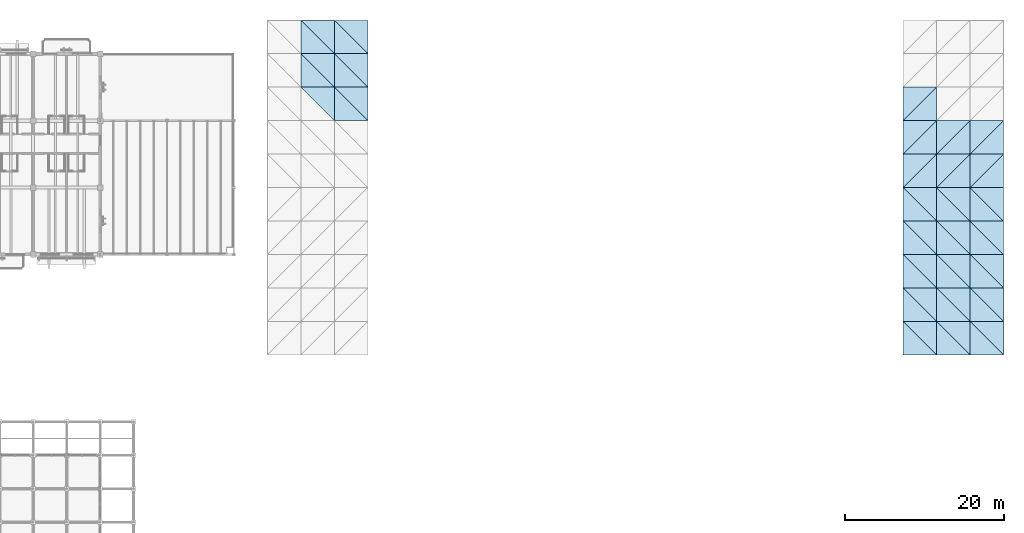
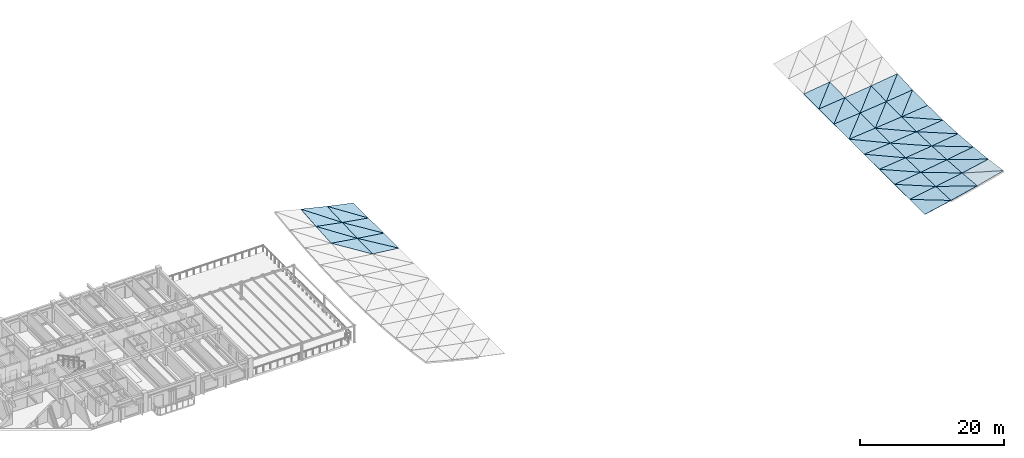
# One storey, part 85 of 93: 55 roofs.
"""IFC4 building model written with IfcOpenShell, lengths in metres."""

from ifc_helpers import new_model, si_unit, direction, frame, origin, place, context, subcontext, project, spatial, polyline, outline, extrude, material, layer, layer_set, type_object, element, save


model = new_model("IFC4")

# Units and contexts
model_context = context("Model", 3, precision=1e-05, world=origin(), true_north=direction((0.0, 1.0)))
body_context = subcontext(model_context, "Body", "Model", "MODEL_VIEW")
ifc_project = project(units=[si_unit("LENGTHUNIT", "METRE"), si_unit("AREAUNIT", "SQUARE_METRE"), si_unit("VOLUMEUNIT", "CUBIC_METRE"), si_unit("PLANEANGLEUNIT", "RADIAN"), si_unit("MASSUNIT", "GRAM", prefix="KILO")], contexts=[model_context])

# Site, building, storey
site_placement = place(None, origin())
site = spatial("IfcSite", under=ifc_project, at=site_placement, CompositionType="ELEMENT")
building_placement = place(site_placement, origin())
building = spatial("IfcBuilding", under=site, at=building_placement, Name="Cumbredor Promenade Congress Hotel", CompositionType="ELEMENT")
storey_placement = place(building_placement, frame((0.0, 0.0, 21.840087890625)))
storey = spatial("IfcBuildingStorey", under=building, at=storey_placement, Name="L06", CompositionType="ELEMENT", Elevation=21.840087890625)

# Roofs
ifc_material = material(Name="Standing-seam zinc-aluminium roofing", Category="aluminium")
ifc_layer = layer(ifc_material, 0.050048828125, Name="Standing-seam zinc-aluminium roofing", Category="aluminium")
ifc_layer_set = layer_set([ifc_layer], Name="Standing-seam zinc-aluminium roofing")
roof_type = type_object("IfcRoofType", Name="Sweeping Pavilion Standing-Seam Roof Skin 50mm", PredefinedType="FREEFORM", material=ifc_layer_set)
roof_1_placement = place(storey_placement, frame((96.60009765625, 109.199951171875, 0.265869140625), z_axis=(0.151296799152, -0.024011290155, 0.988196709421), x_axis=(0.0, 0.99970493212, 0.024290917958)))
element("IfcRoof", 1, at=roof_1_placement, inside=storey, type_object=roof_type, Name="Pre-Function and Breakout Meeting Forum Standing-Seam Roof Skin 2.8.2", PredefinedType="FREEFORM", context=body_context, shape_type="SweptSolid", body=[
    extrude(outline(polyline([(0.0, 0.0), (4.201190808340883, -1.734723475976807e-18), (4.216811481656447, 4.249109443231538), (0.0, 0.0)])), origin(), (0.0, 0.0, -1.0), 0.050048828125),
])
roof_2_placement = place(storey_placement, frame((92.39990234375, 113.39990234375, 1.010986328125), z_axis=(0.150962078328, -0.070666758762, 0.986010476675), x_axis=(0.98848170114, 0.0, -0.151340432504)))
element("IfcRoof", 2, at=roof_2_placement, inside=storey, type_object=roof_type, Name="Pre-Function and Breakout Meeting Forum Standing-Seam Roof Skin 2.9.1", PredefinedType="FREEFORM", context=body_context, shape_type="SweptSolid", body=[
    extrude(outline(polyline([(0.0, 0.0), (4.249138155672779, 0.0), (-0.04555731281196038, 4.210722204111459), (0.0, 0.0)])), origin(), (0.0, 0.0, -1.0), 0.050048828125),
])
roof_3_placement = place(storey_placement, frame((96.60009765625, 113.39990234375, 0.367919921875), z_axis=(0.187341185782, -0.033325389125, 0.981729442642), x_axis=(0.0, 0.999424345771, 0.033926053123)))
element("IfcRoof", 3, at=roof_3_placement, inside=storey, type_object=roof_type, Name="Pre-Function and Breakout Meeting Forum Standing-Seam Roof Skin 2.9.2", PredefinedType="FREEFORM", context=body_context, shape_type="SweptSolid", body=[
    extrude(outline(polyline([(0.0, 0.0), (4.202614565348039, -3.469446951953614e-18), (4.229806760758978, 4.275900538349583), (0.0, 0.0)])), origin(), (0.0, 0.0, -1.0), 0.050048828125),
])
roof_4_placement = place(storey_placement, frame((92.39990234375, 117.60009765625, 1.31201171875), z_axis=(0.186681381948, -0.090190034276, 0.9782718535), x_axis=(0.982275042442, 0.0, -0.187445301345)))
element("IfcRoof", 4, at=roof_4_placement, inside=storey, type_object=roof_type, Name="Pre-Function and Breakout Meeting Forum Standing-Seam Roof Skin 2.10.1", PredefinedType="FREEFORM", context=body_context, shape_type="SweptSolid", body=[
    extrude(outline(polyline([(0.0, 0.0), (4.2759870006057685, 0.0), (-0.07258013865548202, 4.2171378036123475), (0.0, 0.0)])), origin(), (0.0, 0.0, -1.0), 0.050048828125),
])
roof_5_placement = place(storey_placement, frame((96.60009765625, 117.60009765625, 0.510498046875), z_axis=(0.232523595501, -0.04247459514, 0.971662846003), x_axis=(0.0, 0.99904594053, 0.043671600725)))
element("IfcRoof", 5, at=roof_5_placement, inside=storey, type_object=roof_type, Name="Pre-Function and Breakout Meeting Forum Standing-Seam Roof Skin 2.10.2", PredefinedType="FREEFORM", context=body_context, shape_type="SweptSolid", body=[
    extrude(outline(polyline([(0.0, 0.0), (4.203962001632894, -6.938893903907228e-18), (4.247857504608091, 4.318563886277922), (0.0, 0.0)])), origin(), (0.0, 0.0, -1.0), 0.050048828125),
])
roof_6_placement = place(storey_placement, frame((96.60009765625, 109.199951171875, 0.265869140625), z_axis=(0.112199133894, -0.024137538841, 0.993392537506), x_axis=(0.993682049587, 0.0, -0.112231832956)))
element("IfcRoof", 6, at=roof_6_placement, inside=storey, type_object=roof_type, Name="Pre-Function and Breakout Meeting Forum Standing-Seam Roof Skin 3.8.1", PredefinedType="FREEFORM", context=body_context, shape_type="SweptSolid", body=[
    extrude(outline(polyline([(0.0, 0.0), (4.226654968378402, 0.0), (-0.01145334623431087, 4.201175196174036), (0.0, 0.0)])), origin(), (0.0, 0.0, -1.0), 0.050048828125),
])
roof_7_placement = place(storey_placement, frame((100.800048828125, 109.199951171875, -0.20849609375), z_axis=(0.135742823772, -0.00023036542, 0.990744080339), x_axis=(0.0, 0.999999972968, 0.000232517578)))
element("IfcRoof", 7, at=roof_7_placement, inside=storey, type_object=roof_type, Name="Pre-Function and Breakout Meeting Forum Standing-Seam Roof Skin 3.8.2", PredefinedType="FREEFORM", context=body_context, shape_type="SweptSolid", body=[
    extrude(outline(polyline([(0.0, 0.0), (4.199951285408976, 0.0), (4.20008508519682, 4.239188647895326), (0.0, 0.0)])), origin(), (0.0, 0.0, -1.0), 0.050048828125),
])
roof_8_placement = place(storey_placement, frame((96.60009765625, 113.39990234375, 0.367919921875), z_axis=(0.135666125055, -0.033612393621, 0.99018428058), x_axis=(0.990744106627, 0.0, -0.135742827374)))
element("IfcRoof", 8, at=roof_8_placement, inside=storey, type_object=roof_type, Name="Pre-Function and Breakout Meeting Forum Standing-Seam Roof Skin 3.9.1", PredefinedType="FREEFORM", context=body_context, shape_type="SweptSolid", body=[
    extrude(outline(polyline([(0.0, 0.0), (4.23918865000686, 0.0), (-0.019353957809227273, 4.202570000510712), (0.0, 0.0)])), origin(), (0.0, 0.0, -1.0), 0.050048828125),
])
roof_9_placement = place(storey_placement, frame((100.800048828125, 113.39990234375, -0.20751953125), z_axis=(0.168291026532, -0.000229187939, 0.98573732701), x_axis=(0.0, 0.999999972971, 0.000232504063)))
element("IfcRoof", 9, at=roof_9_placement, inside=storey, type_object=roof_type, Name="Pre-Function and Breakout Meeting Forum Standing-Seam Roof Skin 3.9.2", PredefinedType="FREEFORM", context=body_context, shape_type="SweptSolid", body=[
    extrude(outline(polyline([(0.0, 0.0), (4.200195426027376, 0.0), (4.200362140976514, 4.260720318963549), (0.0, 0.0)])), origin(), (0.0, 0.0, -1.0), 0.050048828125),
])
roof_10_placement = place(storey_placement, frame((96.60009765625, 117.60009765625, 0.510498046875), z_axis=(0.168135012328, -0.043049890797, 0.984823499177), x_axis=(0.985737352899, 0.0, -0.168291030952)))
element("IfcRoof", 10, at=roof_10_placement, inside=storey, type_object=roof_type, Name="Pre-Function and Breakout Meeting Forum Standing-Seam Roof Skin 3.10.1", PredefinedType="FREEFORM", context=body_context, shape_type="SweptSolid", body=[
    extrude(outline(polyline([(0.0, 0.0), (4.260720322225189, 0.0), (-0.030897181463825883, 4.203848460084026), (0.0, 0.0)])), origin(), (0.0, 0.0, -1.0), 0.050048828125),
])
roof_11_placement = place(storey_placement, frame((100.800048828125, 117.60009765625, -0.20654296875), z_axis=(0.209346626086, -0.000341047993, 0.977841435936), x_axis=(0.0, 0.999999939178, 0.000348776355)))
element("IfcRoof", 11, at=roof_11_placement, inside=storey, type_object=roof_type, Name="Pre-Function and Breakout Meeting Forum Standing-Seam Roof Skin 3.10.2", PredefinedType="FREEFORM", context=body_context, shape_type="SweptSolid", body=[
    extrude(outline(polyline([(0.0, 0.0), (4.1999514273264404, 5.421010862427522e-20), (4.200265036534318, 4.29512471253026), (0.0, 0.0)])), origin(), (0.0, 0.0, -1.0), 0.050048828125),
])
roof_12_placement = place(storey_placement, frame((168.0, 79.800048828125, -0.205078125), z_axis=(-0.209346626086, 0.000341047993, 0.977841435936), x_axis=(0.977841492804, 0.0, 0.209346638261)))
element("IfcRoof", 12, at=roof_12_placement, inside=storey, type_object=roof_type, Name="Pre-Function and Breakout Meeting Forum Standing-Seam Roof Skin 20.1.1", PredefinedType="FREEFORM", context=body_context, shape_type="SweptSolid", body=[
    extrude(outline(polyline([(0.0, 0.0), (4.295124723979372, 5.421010862427522e-20), (-0.00030666011463952725, 4.199951416131022), (0.0, 0.0)])), origin(), (0.0, 0.0, -1.0), 0.050048828125),
])
roof_13_placement = place(storey_placement, frame((172.199951171875, 79.800048828125, 0.694091796875), z_axis=(-0.168135012328, 0.043049890797, 0.984823499177), x_axis=(0.0, 0.99904594053, -0.043671600725)))
element("IfcRoof", 13, at=roof_13_placement, inside=storey, type_object=roof_type, Name="Pre-Function and Breakout Meeting Forum Standing-Seam Roof Skin 20.1.2", PredefinedType="FREEFORM", context=body_context, shape_type="SweptSolid", body=[
    extrude(outline(polyline([(0.0, 0.0), (4.203962001632894, -3.469446951953614e-18), (4.2352763305709935, 4.2606052477348655), (0.0, 0.0)])), origin(), (0.0, 0.0, -1.0), 0.050048828125),
])
roof_14_placement = place(storey_placement, frame((168.0, 84.0, -0.20654296875), z_axis=(-0.168291026531, 0.000229201262, 0.985737327007), x_axis=(0.985737352899, 0.0, 0.168291030952)))
element("IfcRoof", 14, at=roof_14_placement, inside=storey, type_object=roof_type, Name="Pre-Function and Breakout Meeting Forum Standing-Seam Roof Skin 20.2.1", PredefinedType="FREEFORM", context=body_context, shape_type="SweptSolid", body=[
    extrude(outline(polyline([(0.0, 0.0), (4.260720322225189, 0.0), (-0.00016434670991396746, 4.199951282193481), (0.0, 0.0)])), origin(), (0.0, 0.0, -1.0), 0.050048828125),
])
roof_15_placement = place(storey_placement, frame((172.199951171875, 84.0, 0.510498046875), z_axis=(-0.135666116145, 0.033614345282, 0.990184215548), x_axis=(0.0, 0.999424278902, -0.033928022954)))
element("IfcRoof", 15, at=roof_15_placement, inside=storey, type_object=roof_type, Name="Pre-Function and Breakout Meeting Forum Standing-Seam Roof Skin 20.2.2", PredefinedType="FREEFORM", context=body_context, shape_type="SweptSolid", body=[
    extrude(outline(polyline([(0.0, 0.0), (4.202370565271785, 0.0), (4.2218940882460805, 4.239143692114913), (0.0, 0.0)])), origin(), (0.0, 0.0, -1.0), 0.050048828125),
])
roof_16_placement = place(storey_placement, frame((168.0, 88.199951171875, -0.20751953125), z_axis=(-0.135742823772, 0.00023036542, 0.990744080339), x_axis=(0.990744106627, 0.0, 0.135742827374)))
element("IfcRoof", 16, at=roof_16_placement, inside=storey, type_object=roof_type, Name="Pre-Function and Breakout Meeting Forum Standing-Seam Roof Skin 20.3.1", PredefinedType="FREEFORM", context=body_context, shape_type="SweptSolid", body=[
    extrude(outline(polyline([(0.0, 0.0), (4.23918865000686, -2.710505431213761e-20), (-0.00013256135485772104, 4.1999512833169845), (0.0, 0.0)])), origin(), (0.0, 0.0, -1.0), 0.050048828125),
])
roof_17_placement = place(storey_placement, frame((172.199951171875, 88.199951171875, 0.367919921875), z_axis=(-0.112199133894, 0.024137538841, 0.993392537506), x_axis=(0.0, 0.99970493212, -0.024290917958)))
element("IfcRoof", 17, at=roof_17_placement, inside=storey, type_object=roof_type, Name="Pre-Function and Breakout Meeting Forum Standing-Seam Roof Skin 20.3.2", PredefinedType="FREEFORM", context=body_context, shape_type="SweptSolid", body=[
    extrude(outline(polyline([(0.0, 0.0), (4.201190808340883, 0.0), (4.212713575331065, 4.226639261583454), (0.0, 0.0)])), origin(), (0.0, 0.0, -1.0), 0.050048828125),
])
roof_18_placement = place(storey_placement, frame((168.0, 92.39990234375, -0.20849609375), z_axis=(-0.112231832207, 0.000115517559, 0.993682042957), x_axis=(0.993682049587, 0.0, 0.112231832956)))
element("IfcRoof", 18, at=roof_18_placement, inside=storey, type_object=roof_type, Name="Pre-Function and Breakout Meeting Forum Standing-Seam Roof Skin 20.4.1", PredefinedType="FREEFORM", context=body_context, shape_type="SweptSolid", body=[
    extrude(outline(polyline([(0.0, 0.0), (4.226654968378402, 6.776263578034403e-21), (-5.480069968569795e-05, 4.200195340524347), (0.0, 0.0)])), origin(), (0.0, 0.0, -1.0), 0.050048828125),
])
roof_19_placement = place(storey_placement, frame((172.199951171875, 92.39990234375, 0.265869140625), z_axis=(-0.098044266176, 0.014459965672, 0.995076997655), x_axis=(0.0, 0.99989443441, -0.014529970274)))
element("IfcRoof", 19, at=roof_19_placement, inside=storey, type_object=roof_type, Name="Pre-Function and Breakout Meeting Forum Standing-Seam Roof Skin 20.4.2", PredefinedType="FREEFORM", context=body_context, shape_type="SweptSolid", body=[
    extrude(outline(polyline([(0.0, 0.0), (4.2006387554091615, 8.673617379884035e-19), (4.206651523869922, 4.220284270911788), (0.0, 0.0)])), origin(), (0.0, 0.0, -1.0), 0.050048828125),
])
roof_20_placement = place(storey_placement, frame((168.0, 96.60009765625, -0.208984375), z_axis=(-0.098054517851, 0.0, 0.995181044599), x_axis=(0.995181044599, 0.0, 0.098054517851)))
element("IfcRoof", 20, at=roof_20_placement, inside=storey, type_object=roof_type, Name="Pre-Function and Breakout Meeting Forum Standing-Seam Roof Skin 20.5.1", PredefinedType="FREEFORM", context=body_context, shape_type="SweptSolid", body=[
    extrude(outline(polyline([(0.0, 0.0), (4.22028855419745, 0.0), (0.0, 4.199951171875), (0.0, 0.0)])), origin(), (0.0, 0.0, -1.0), 0.050048828125),
])
roof_21_placement = place(storey_placement, frame((172.199951171875, 96.60009765625, 0.204833984375), z_axis=(-0.093237412623, 0.004861541068, 0.995632035596), x_axis=(0.0, 0.999988079007, -0.004882811058)))
element("IfcRoof", 21, at=roof_21_placement, inside=storey, type_object=roof_type, Name="Pre-Function and Breakout Meeting Forum Standing-Seam Roof Skin 20.5.2", PredefinedType="FREEFORM", context=body_context, shape_type="SweptSolid", body=[
    extrude(outline(polyline([(0.0, 0.0), (4.200001240060259, -2.168404344971009e-19), (4.201921701147902, 4.218326604738721), (0.0, 0.0)])), origin(), (0.0, 0.0, -1.0), 0.050048828125),
])
roof_22_placement = place(storey_placement, frame((168.0, 100.800048828125, -0.208984375), z_axis=(-0.093237412623, -0.004861541068, 0.995632035596), x_axis=(0.995643801478, 0.0, 0.093238514456)))
element("IfcRoof", 22, at=roof_22_placement, inside=storey, type_object=roof_type, Name="Pre-Function and Breakout Meeting Forum Standing-Seam Roof Skin 20.6.1", PredefinedType="FREEFORM", context=body_context, shape_type="SweptSolid", body=[
    extrude(outline(polyline([(0.0, 0.0), (4.21832704189911, 2.168404344971009e-19), (4.220239159871347, 4.20000080479904), (0.0, 0.0)])), origin(), (0.0, 0.0, -1.0), 0.050048828125),
])
roof_23_placement = place(storey_placement, frame((168.0, 100.800048828125, -0.208984375), z_axis=(-0.098054517851, 0.0, 0.995181044599), x_axis=(0.705396850563, 0.705396850563, 0.069502276446)))
element("IfcRoof", 23, at=roof_23_placement, inside=storey, type_object=roof_type, Name="Pre-Function and Breakout Meeting Forum Standing-Seam Roof Skin 20.6.2", PredefinedType="FREEFORM", context=body_context, shape_type="SweptSolid", body=[
    extrude(outline(polyline([(0.0, 0.0), (5.954025976330989, -2.671474153004283e-16), (2.962632329159591, 2.9769782545985453), (0.0, 0.0)])), origin(), (0.0, 0.0, -1.0), 0.050048828125),
])
roof_24_placement = place(storey_placement, frame((168.0, 105.0, -0.208984375), z_axis=(-0.098044264984, -0.014460806045, 0.995076985561), x_axis=(0.995181044599, 0.0, 0.098054517851)))
element("IfcRoof", 24, at=roof_24_placement, inside=storey, type_object=roof_type, Name="Pre-Function and Breakout Meeting Forum Standing-Seam Roof Skin 20.7.1", PredefinedType="FREEFORM", context=body_context, shape_type="SweptSolid", body=[
    extrude(outline(polyline([(0.0, 0.0), (4.22028855419745, 0.0), (4.2262733270155195, 4.200390376968189), (0.0, 0.0)])), origin(), (0.0, 0.0, -1.0), 0.050048828125),
])
roof_25_placement = place(storey_placement, frame((168.0, 105.0, -0.208984375), z_axis=(-0.112231832207, -0.000115524274, 0.993682042956), x_axis=(0.704857829727, 0.704857829727, 0.07969240707)))
element("IfcRoof", 25, at=roof_25_placement, inside=storey, type_object=roof_type, Name="Pre-Function and Breakout Meeting Forum Standing-Seam Roof Skin 20.7.2", PredefinedType="FREEFORM", context=body_context, shape_type="SweptSolid", body=[
    extrude(outline(polyline([(0.0, 0.0), (5.958579155601593, -6.938893903907228e-18), (2.960407380276113, 2.9791908678967665), (0.0, 0.0)])), origin(), (0.0, 0.0, -1.0), 0.050048828125),
])
roof_26_placement = place(storey_placement, frame((168.0, 109.199951171875, -0.20849609375), z_axis=(-0.112199133894, -0.024137538841, 0.993392537506), x_axis=(0.993682049587, 0.0, 0.112231832956)))
element("IfcRoof", 26, at=roof_26_placement, inside=storey, type_object=roof_type, Name="Pre-Function and Breakout Meeting Forum Standing-Seam Roof Skin 20.8.1", PredefinedType="FREEFORM", context=body_context, shape_type="SweptSolid", body=[
    extrude(outline(polyline([(0.0, 0.0), (4.226654968378402, 0.0), (4.238108314612713, 4.201175196174036), (0.0, 0.0)])), origin(), (0.0, 0.0, -1.0), 0.050048828125),
])
roof_27_placement = place(storey_placement, frame((168.0, 109.199951171875, -0.20849609375), z_axis=(-0.135742823772, -0.00023036542, 0.990744080339), x_axis=(0.703800390524, 0.703800390524, 0.09659203174)))
element("IfcRoof", 27, at=roof_27_placement, inside=storey, type_object=roof_type, Name="Pre-Function and Breakout Meeting Forum Standing-Seam Roof Skin 20.8.2", PredefinedType="FREEFORM", context=body_context, shape_type="SweptSolid", body=[
    extrude(outline(polyline([(0.0, 0.0), (5.967531743974, -5.065392549852277e-16), (2.956021603104572, 2.983542706546628), (0.0, 0.0)])), origin(), (0.0, 0.0, -1.0), 0.050048828125),
])
roof_28_placement = place(storey_placement, frame((172.199951171875, 79.800048828125, 0.694091796875), z_axis=(-0.232536381099, 0.042474461644, 0.971659792095), x_axis=(0.972537455751, 0.0, 0.232746422445)))
element("IfcRoof", 28, at=roof_28_placement, inside=storey, type_object=roof_type, Name="Pre-Function and Breakout Meeting Forum Standing-Seam Roof Skin 21.1.1", PredefinedType="FREEFORM", context=body_context, shape_type="SweptSolid", body=[
    extrude(outline(polyline([(0.0, 0.0), (4.318549529417549, 6.938893903907228e-18), (-0.04273078849582665, 4.203744829421474), (0.0, 0.0)])), origin(), (0.0, 0.0, -1.0), 0.050048828125),
])
roof_29_placement = place(storey_placement, frame((176.39990234375, 79.800048828125, 1.69921875), z_axis=(-0.186691855412, 0.090189851564, 0.97826987166), x_axis=(0.0, 0.995777105566, -0.091803899868)))
element("IfcRoof", 29, at=roof_29_placement, inside=storey, type_object=roof_type, Name="Pre-Function and Breakout Meeting Forum Standing-Seam Roof Skin 21.1.2", PredefinedType="FREEFORM", context=body_context, shape_type="SweptSolid", body=[
    extrude(outline(polyline([(0.0, 0.0), (4.217762336972489, 0.0), (4.29134441784805, 4.275113997276653), (0.0, 0.0)])), origin(), (0.0, 0.0, -1.0), 0.050048828125),
])
roof_30_placement = place(storey_placement, frame((172.199951171875, 84.0, 0.510498046875), z_axis=(-0.18735168148, 0.033327256163, 0.981727376334), x_axis=(0.982273036172, 0.0, 0.187455814553)))
element("IfcRoof", 30, at=roof_30_placement, inside=storey, type_object=roof_type, Name="Pre-Function and Breakout Meeting Forum Standing-Seam Roof Skin 21.2.1", PredefinedType="FREEFORM", context=body_context, shape_type="SweptSolid", body=[
    extrude(outline(polyline([(0.0, 0.0), (4.275747187607885, 0.0), (-0.02672709855928995, 4.202285572169663), (0.0, 0.0)])), origin(), (0.0, 0.0, -1.0), 0.050048828125),
])
roof_31_placement = place(storey_placement, frame((176.39990234375, 84.0, 1.31201171875), z_axis=(-0.150970609834, 0.070670752439, 0.986008884197), x_axis=(0.0, 0.997441305439, -0.071490154601)))
element("IfcRoof", 31, at=roof_31_placement, inside=storey, type_object=roof_type, Name="Pre-Function and Breakout Meeting Forum Standing-Seam Roof Skin 21.2.2", PredefinedType="FREEFORM", context=body_context, shape_type="SweptSolid", body=[
    extrude(outline(polyline([(0.0, 0.0), (4.210725131368126, 0.0), (4.256698048169828, 4.24864810732805), (0.0, 0.0)])), origin(), (0.0, 0.0, -1.0), 0.050048828125),
])
roof_32_placement = place(storey_placement, frame((172.199951171875, 88.199951171875, 0.367919921875), z_axis=(-0.151305392608, 0.024011258204, 0.988195394468), x_axis=(0.988480385049, 0.0, 0.151349028322)))
element("IfcRoof", 32, at=roof_32_placement, inside=storey, type_object=roof_type, Name="Pre-Function and Breakout Meeting Forum Standing-Seam Roof Skin 21.3.1", PredefinedType="FREEFORM", context=body_context, shape_type="SweptSolid", body=[
    extrude(outline(polyline([(0.0, 0.0), (4.2488968272931125, -1.734723475976807e-18), (-0.015445286581658665, 4.201162416666407), (0.0, 0.0)])), origin(), (0.0, 0.0, -1.0), 0.050048828125),
])
roof_33_placement = place(storey_placement, frame((176.39990234375, 88.199951171875, 1.010986328125), z_axis=(-0.125044532081, 0.050743543419, 0.990852641818), x_axis=(0.0, 0.998691239407, -0.051144973663)))
element("IfcRoof", 33, at=roof_33_placement, inside=storey, type_object=roof_type, Name="Pre-Function and Breakout Meeting Forum Standing-Seam Roof Skin 21.3.2", PredefinedType="FREEFORM", context=body_context, shape_type="SweptSolid", body=[
    extrude(outline(polyline([(0.0, 0.0), (4.205455105791489, 0.0), (4.232563440220573, 4.233176825964688), (0.0, 0.0)])), origin(), (0.0, 0.0, -1.0), 0.050048828125),
])
roof_34_placement = place(storey_placement, frame((172.199951171875, 92.39990234375, 0.265869140625), z_axis=(-0.125192822424, 0.014415654706, 0.992027694227), x_axis=(0.992130787478, 0.0, 0.125205832681)))
element("IfcRoof", 34, at=roof_34_placement, inside=storey, type_object=roof_type, Name="Pre-Function and Breakout Meeting Forum Standing-Seam Roof Skin 21.4.1", PredefinedType="FREEFORM", context=body_context, shape_type="SweptSolid", body=[
    extrude(outline(polyline([(0.0, 0.0), (4.233263622984044, 2.6020852139652106e-18), (-0.007641957561111996, 4.200631804137333), (0.0, 0.0)])), origin(), (0.0, 0.0, -1.0), 0.050048828125),
])
roof_35_placement = place(storey_placement, frame((176.39990234375, 92.39990234375, 0.7958984375), z_axis=(-0.109327868633, 0.030492213052, 0.993537941944), x_axis=(0.0, 0.999529377903, -0.030676093439)))
element("IfcRoof", 35, at=roof_35_placement, inside=storey, type_object=roof_type, Name="Pre-Function and Breakout Meeting Forum Standing-Seam Roof Skin 21.4.2", PredefinedType="FREEFORM", context=body_context, shape_type="SweptSolid", body=[
    extrude(outline(polyline([(0.0, 0.0), (4.202172947944437, -1.734723475976807e-18), (4.216350156167321, 4.225278577516153), (0.0, 0.0)])), origin(), (0.0, 0.0, -1.0), 0.050048828125),
])
roof_36_placement = place(storey_placement, frame((172.199951171875, 96.60009765625, 0.204833984375), z_axis=(-0.109377440962, 0.004853515605, 0.99398843997), x_axis=(0.994000147678, 0.0, 0.109378729266)))
element("IfcRoof", 36, at=roof_36_placement, inside=storey, type_object=roof_type, Name="Pre-Function and Breakout Meeting Forum Standing-Seam Roof Skin 21.5.1", PredefinedType="FREEFORM", context=body_context, shape_type="SweptSolid", body=[
    extrude(outline(polyline([(0.0, 0.0), (4.225302362062378, 0.0), (-0.0022431184712656295, 4.200000641062719), (0.0, 0.0)])), origin(), (0.0, 0.0, -1.0), 0.050048828125),
])
roof_37_placement = place(storey_placement, frame((176.39990234375, 96.60009765625, 0.6669921875), z_axis=(-0.104116607856, 0.010174637969, 0.994513051051), x_axis=(0.0, 0.999947669743, -0.010230238323)))
element("IfcRoof", 37, at=roof_37_placement, inside=storey, type_object=roof_type, Name="Pre-Function and Breakout Meeting Forum Standing-Seam Roof Skin 21.5.2", PredefinedType="FREEFORM", context=body_context, shape_type="SweptSolid", body=[
    extrude(outline(polyline([(0.0, 0.0), (4.2001709679024675, 8.673617379884035e-19), (4.204669175719888, 4.222902236336845), (0.0, 0.0)])), origin(), (0.0, 0.0, -1.0), 0.050048828125),
])
roof_38_placement = place(storey_placement, frame((172.199951171875, 100.800048828125, 0.184326171875), z_axis=(-0.104116607856, -0.010174637969, 0.994513051051), x_axis=(0.994564532664, 0.0, 0.104121997519)))
element("IfcRoof", 38, at=roof_38_placement, inside=storey, type_object=roof_type, Name="Pre-Function and Breakout Meeting Forum Standing-Seam Roof Skin 21.6.1", PredefinedType="FREEFORM", context=body_context, shape_type="SweptSolid", body=[
    extrude(outline(polyline([(0.0, 0.0), (4.222904632066925, 0.0), (4.227378624147839, 4.200168585069606), (0.0, 0.0)])), origin(), (0.0, 0.0, -1.0), 0.050048828125),
])
roof_39_placement = place(storey_placement, frame((172.199951171875, 100.800048828125, 0.184326171875), z_axis=(-0.109377440962, -0.004853515605, 0.99398843997), x_axis=(0.704783586788, 0.704783586788, 0.080995009654)))
element("IfcRoof", 39, at=roof_39_placement, inside=storey, type_object=roof_type, Name="Pre-Function and Breakout Meeting Forum Standing-Seam Roof Skin 21.6.2", PredefinedType="FREEFORM", context=body_context, shape_type="SweptSolid", body=[
    extrude(outline(polyline([(0.0, 0.0), (5.95920684109116, -4.579669976578771e-16), (2.961717681719374, 2.9779588295170467), (0.0, 0.0)])), origin(), (0.0, 0.0, -1.0), 0.050048828125),
])
roof_40_placement = place(storey_placement, frame((172.199951171875, 105.0, 0.204833984375), z_axis=(-0.109327862724, -0.030493983898, 0.993537888245), x_axis=(0.994000147678, 0.0, 0.109378729266)))
element("IfcRoof", 40, at=roof_40_placement, inside=storey, type_object=roof_type, Name="Pre-Function and Breakout Meeting Forum Standing-Seam Roof Skin 21.7.1", PredefinedType="FREEFORM", context=body_context, shape_type="SweptSolid", body=[
    extrude(outline(polyline([(0.0, 0.0), (4.225302362062378, -1.734723475976807e-18), (4.239401963881763, 4.201905266501351), (0.0, 0.0)])), origin(), (0.0, 0.0, -1.0), 0.050048828125),
])
roof_41_placement = place(storey_placement, frame((172.199951171875, 105.0, 0.204833984375), z_axis=(-0.125192820912, -0.014416492505, 0.992027682243), x_axis=(0.703631457495, 0.703631457495, 0.099022947079)))
element("IfcRoof", 41, at=roof_41_placement, inside=storey, type_object=roof_type, Name="Pre-Function and Breakout Meeting Forum Standing-Seam Roof Skin 21.7.2", PredefinedType="FREEFORM", context=body_context, shape_type="SweptSolid", body=[
    extrude(outline(polyline([(0.0, 0.0), (5.968964473006714, 1.6653345369377348e-16), (2.9612616455197, 2.9789670362739176), (0.0, 0.0)])), origin(), (0.0, 0.0, -1.0), 0.050048828125),
])
roof_42_placement = place(storey_placement, frame((176.39990234375, 79.800048828125, 1.69921875), z_axis=(-0.254620601511, 0.088778137677, 0.962957315542), x_axis=(0.966774697445, 0.0, 0.25562997551)))
element("IfcRoof", 42, at=roof_42_placement, inside=storey, type_object=roof_type, Name="Pre-Function and Breakout Meeting Forum Standing-Seam Roof Skin 22.1.1", PredefinedType="FREEFORM", context=body_context, shape_type="SweptSolid", body=[
    extrude(outline(polyline([(0.0, 0.0), (4.344544104845373, -1.3877787807814457e-17), (-0.09898172391584979, 4.216600733946039), (0.0, 0.0)])), origin(), (0.0, 0.0, -1.0), 0.050048828125),
])
roof_43_placement = place(storey_placement, frame((180.60009765625, 79.800048828125, 2.809814453125), z_axis=(-0.204332209484, 0.141109474374, 0.968677688609), x_axis=(0.0, 0.989555728314, -0.144150825737)))
element("IfcRoof", 43, at=roof_43_placement, inside=storey, type_object=roof_type, Name="Pre-Function and Breakout Meeting Forum Standing-Seam Roof Skin 22.1.2", PredefinedType="FREEFORM", context=body_context, shape_type="SweptSolid", body=[
    extrude(outline(polyline([(0.0, 0.0), (4.244279580929001, 1.3877787807814457e-17), (4.371995241719994, 4.290722683506837), (0.0, 0.0)])), origin(), (0.0, 0.0, -1.0), 0.050048828125),
])
roof_44_placement = place(storey_placement, frame((176.39990234375, 84.0, 1.31201171875), z_axis=(-0.205891729259, 0.069958462157, 0.976070903877), x_axis=(0.978468243731, 0.0, 0.206397422489)))
element("IfcRoof", 44, at=roof_44_placement, inside=storey, type_object=roof_type, Name="Pre-Function and Breakout Meeting Forum Standing-Seam Roof Skin 22.2.1", PredefinedType="FREEFORM", context=body_context, shape_type="SweptSolid", body=[
    extrude(outline(polyline([(0.0, 0.0), (4.292623025234267, 0.0), (-0.06213086472872431, 4.21026672404293), (0.0, 0.0)])), origin(), (0.0, 0.0, -1.0), 0.050048828125),
])
roof_45_placement = place(storey_placement, frame((180.60009765625, 84.0, 2.197998046875), z_axis=(-0.165856528412, 0.111071095682, 0.97987490206), x_axis=(0.0, 0.99363687889, -0.112631047715)))
element("IfcRoof", 45, at=roof_45_placement, inside=storey, type_object=roof_type, Name="Pre-Function and Breakout Meeting Forum Standing-Seam Roof Skin 22.2.2", PredefinedType="FREEFORM", context=body_context, shape_type="SweptSolid", body=[
    extrude(outline(polyline([(0.0, 0.0), (4.226847111960948, 0.0), (4.306920747445615, 4.2591854860939655), (0.0, 0.0)])), origin(), (0.0, 0.0, -1.0), 0.050048828125),
])
roof_46_placement = place(storey_placement, frame((176.39990234375, 88.199951171875, 1.010986328125), z_axis=(-0.166676815077, 0.050429536379, 0.984721128633), x_axis=(0.985975662911, 0.0, 0.166889161265)))
element("IfcRoof", 46, at=roof_46_placement, inside=storey, type_object=roof_type, Name="Pre-Function and Breakout Meeting Forum Standing-Seam Roof Skin 22.3.1", PredefinedType="FREEFORM", context=body_context, shape_type="SweptSolid", body=[
    extrude(outline(polyline([(0.0, 0.0), (4.2599381206835885, 0.0), (-0.03589583766457926, 4.205301907790457), (0.0, 0.0)])), origin(), (0.0, 0.0, -1.0), 0.050048828125),
])
roof_47_placement = place(storey_placement, frame((180.60009765625, 88.199951171875, 1.721923828125), z_axis=(-0.137722332258, 0.079940983666, 0.987239585069), x_axis=(0.0, 0.996737619939, -0.080710079903)))
element("IfcRoof", 47, at=roof_47_placement, inside=storey, type_object=roof_type, Name="Pre-Function and Breakout Meeting Forum Standing-Seam Roof Skin 22.3.2", PredefinedType="FREEFORM", context=body_context, shape_type="SweptSolid", body=[
    extrude(outline(polyline([(0.0, 0.0), (4.213697855741907, 0.0), (4.260988918185206, 4.240604552710168), (0.0, 0.0)])), origin(), (0.0, 0.0, -1.0), 0.050048828125),
])
roof_48_placement = place(storey_placement, frame((176.39990234375, 92.39990234375, 0.7958984375), z_axis=(-0.138100731332, 0.030382160893, 0.989952075762), x_axis=(0.990409292673, 0.0, 0.138164514207)))
element("IfcRoof", 48, at=roof_48_placement, inside=storey, type_object=roof_type, Name="Pre-Function and Breakout Meeting Forum Standing-Seam Roof Skin 22.4.1", PredefinedType="FREEFORM", context=body_context, shape_type="SweptSolid", body=[
    extrude(outline(polyline([(0.0, 0.0), (4.240868238586673, 0.0), (-0.017810269409489304, 4.202135204719096), (0.0, 0.0)])), origin(), (0.0, 0.0, -1.0), 0.050048828125),
])
roof_49_placement = place(storey_placement, frame((180.60009765625, 92.39990234375, 1.3818359375), z_axis=(-0.120627395977, 0.048124164186, 0.991530683419), x_axis=(0.0, 0.998824242861, -0.04847815873)))
element("IfcRoof", 49, at=roof_49_placement, inside=storey, type_object=roof_type, Name="Pre-Function and Breakout Meeting Forum Standing-Seam Roof Skin 22.4.2", PredefinedType="FREEFORM", context=body_context, shape_type="SweptSolid", body=[
    extrude(outline(polyline([(0.0, 0.0), (4.205139535330605, 0.0), (4.22991121165424, 4.2310913550441995), (0.0, 0.0)])), origin(), (0.0, 0.0, -1.0), 0.050048828125),
])
roof_50_placement = place(storey_placement, frame((176.39990234375, 96.60009765625, 0.6669921875), z_axis=(-0.120761094064, 0.010155369343, 0.992629652304), x_axis=(0.99268084197, 0.0, 0.120767321683)))
element("IfcRoof", 50, at=roof_50_placement, inside=storey, type_object=roof_type, Name="Pre-Function and Breakout Meeting Forum Standing-Seam Roof Skin 22.5.1", PredefinedType="FREEFORM", context=body_context, shape_type="SweptSolid", body=[
    extrude(outline(polyline([(0.0, 0.0), (4.23116386951364, -8.673617379884035e-19), (-0.005189220853586302, 4.200167762315892), (0.0, 0.0)])), origin(), (0.0, 0.0, -1.0), 0.050048828125),
])
roof_51_placement = place(storey_placement, frame((180.60009765625, 96.60009765625, 1.177978515625), z_axis=(-0.114889722975, 0.016108590956, 0.993247635211), x_axis=(0.0, 0.99986851253, -0.016215969017)))
element("IfcRoof", 51, at=roof_51_placement, inside=storey, type_object=roof_type, Name="Pre-Function and Breakout Meeting Forum Standing-Seam Roof Skin 22.5.2", PredefinedType="FREEFORM", context=body_context, shape_type="SweptSolid", body=[
    extrude(outline(polyline([(0.0, 0.0), (4.200503485451256, 0.0), (4.2083818493046286, 4.228193343297465), (0.0, 0.0)])), origin(), (0.0, 0.0, -1.0), 0.050048828125),
])
roof_52_placement = place(storey_placement, frame((176.39990234375, 100.800048828125, 0.6240234375), z_axis=(-0.114889722975, -0.016108590956, 0.993247635211), x_axis=(0.993376527573, 0.0, 0.114904632055)))
element("IfcRoof", 52, at=roof_52_placement, inside=storey, type_object=roof_type, Name="Pre-Function and Breakout Meeting Forum Standing-Seam Roof Skin 22.6.1", PredefinedType="FREEFORM", context=body_context, shape_type="SweptSolid", body=[
    extrude(outline(polyline([(0.0, 0.0), (4.228200683141944, 0.0), (4.236027439085126, 4.200496193687069), (0.0, 0.0)])), origin(), (0.0, 0.0, -1.0), 0.050048828125),
])
roof_53_placement = place(storey_placement, frame((176.39990234375, 100.800048828125, 0.6240234375), z_axis=(-0.120761094064, -0.010155369343, 0.992629652304), x_axis=(0.704072050824, 0.704031125919, 0.092858607494)))
element("IfcRoof", 53, at=roof_53_placement, inside=storey, type_object=roof_type, Name="Pre-Function and Breakout Meeting Forum Standing-Seam Roof Skin 22.6.2", PredefinedType="FREEFORM", context=body_context, shape_type="SweptSolid", body=[
    extrude(outline(polyline([(0.0, 0.0), (5.965575977042086, 2.8449465006019636e-16), (2.960886370632634, 2.979024682645758), (0.0, 0.0)])), origin(), (0.0, 0.0, -1.0), 0.050048828125),
])
roof_54_placement = place(storey_placement, frame((176.39990234375, 105.0, 0.6669921875), z_axis=(-0.120627379738, -0.048126955135, 0.991530549931), x_axis=(0.99268084197, 0.0, 0.120767321683)))
element("IfcRoof", 54, at=roof_54_placement, inside=storey, type_object=roof_type, Name="Pre-Function and Breakout Meeting Forum Standing-Seam Roof Skin 22.7.1", PredefinedType="FREEFORM", context=body_context, shape_type="SweptSolid", body=[
    extrude(outline(polyline([(0.0, 0.0), (4.23116386951364, 0.0), (4.25578318435878, 4.204823609133237), (0.0, 0.0)])), origin(), (0.0, 0.0, -1.0), 0.050048828125),
])
roof_55_placement = place(storey_placement, frame((176.39990234375, 105.0, 0.6669921875), z_axis=(-0.138100723921, -0.030383925359, 0.989952022642), x_axis=(0.70206139784, 0.702020589807, 0.119485920302)))
element("IfcRoof", 55, at=roof_55_placement, inside=storey, type_object=roof_type, Name="Pre-Function and Breakout Meeting Forum Standing-Seam Roof Skin 22.7.2", PredefinedType="FREEFORM", context=body_context, shape_type="SweptSolid", body=[
    extrude(outline(polyline([(0.0, 0.0), (5.982660954474624, 2.42861286636753e-16), (2.963854680753802, 2.9785520137806945), (0.0, 0.0)])), origin(), (0.0, 0.0, -1.0), 0.050048828125),
])

save(model, "model.ifc")
